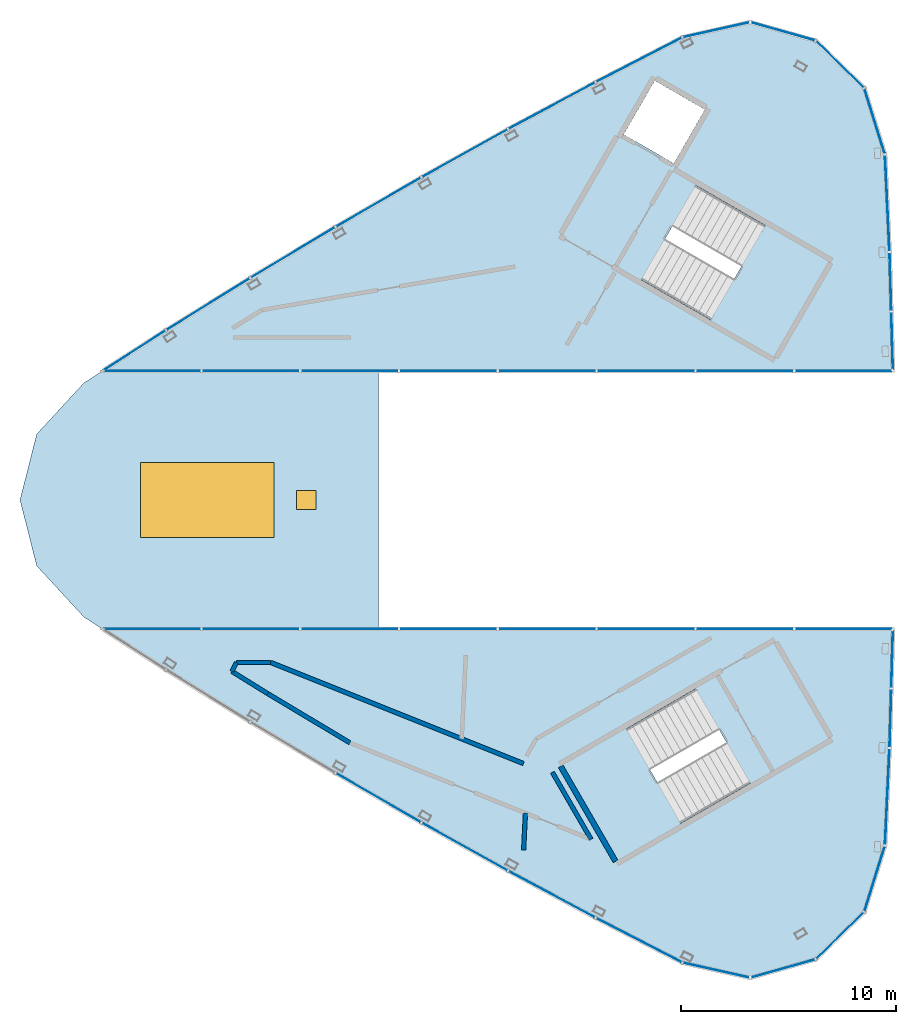
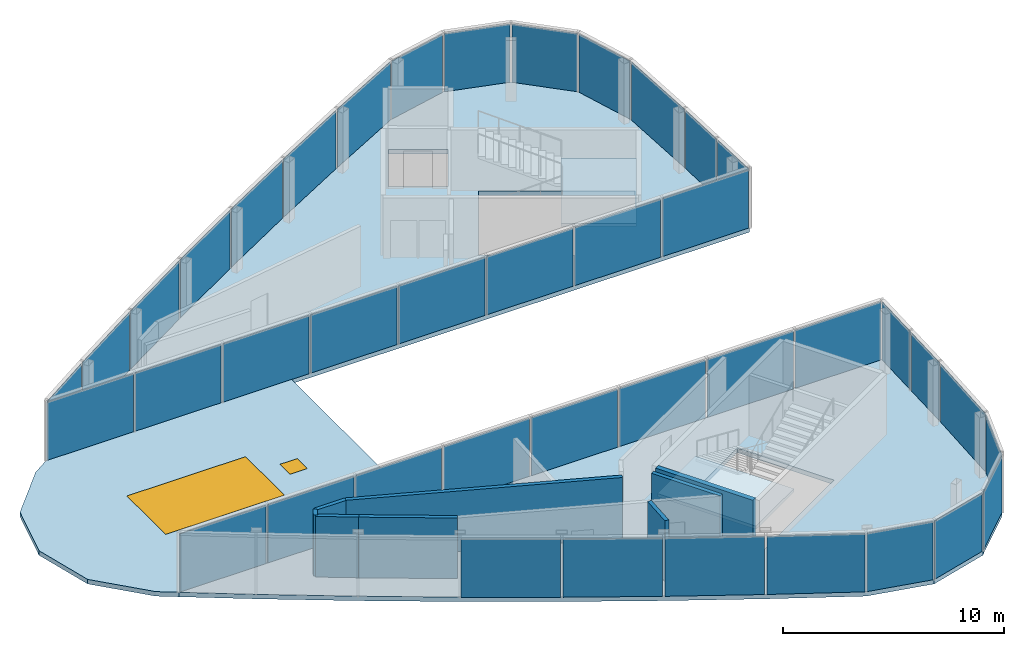
"""IFC4 building model written with IfcOpenShell, lengths in metres."""

from ifc_helpers import new_model, si_unit, direction, frame, frame_2d, origin, origin_2d, place, context, subcontext, project, spatial, polyline, rectangle, outline, extrude, material, layer, layer_set, type_object, element, fill, aggregate, save


model = new_model("IFC4")

# Units and contexts
model_context = context("Model", 3, precision=1e-05, world=origin(), true_north=direction((0.0, 1.0)))
body_context = subcontext(model_context, "Body", "Model", "MODEL_VIEW")
ifc_project = project(units=[si_unit("LENGTHUNIT", "METRE"), si_unit("AREAUNIT", "SQUARE_METRE"), si_unit("VOLUMEUNIT", "CUBIC_METRE"), si_unit("PLANEANGLEUNIT", "RADIAN"), si_unit("MASSUNIT", "GRAM", prefix="KILO")], contexts=[model_context])

# Site, building, storey
site_placement = place(None, origin())
site = spatial("IfcSite", under=ifc_project, at=site_placement, CompositionType="ELEMENT")
building_placement = place(site_placement, origin())
building = spatial("IfcBuilding", under=site, at=building_placement, Name="Tamra Quay Hotel Tower", CompositionType="ELEMENT")
storey_1_placement = place(building_placement, frame((0.0, 0.0, 331.39990234375)))
storey_1 = spatial("IfcBuildingStorey", under=building, at=storey_1_placement, Name="Roof crown 4", CompositionType="ELEMENT", Elevation=331.39990234375)

# Stair, slab
ifc_material_1 = material(Name="Exit stair 2200 24 risers 150.0 going 342")
stair_type = type_object("IfcStairType", Name="Exit stair 2200 24 risers 150.0 going 342", PredefinedType="HALF_TURN_STAIR", material=ifc_material_1)
stair_1_placement = place(storey_1_placement, origin())
stair_1 = element("IfcStair", 1, at=stair_1_placement, inside=storey_1, type_object=stair_type, Name="Roof crown 4 Exit stair ST1", PredefinedType="HALF_TURN_STAIR")
ifc_material_2 = material(Name="Concrete M70", Category="concrete")
ifc_layer_1 = layer(ifc_material_2, 0.175048828125)
ifc_layer_set_1 = layer_set([ifc_layer_1], Name="Concrete M70 stair landing 180")
slab_type_1 = type_object("IfcSlabType", Name="Concrete M70 stair landing 180", PredefinedType="LANDING", material=ifc_layer_set_1)
slab_1_placement = place(storey_1_placement, frame((0.0, 0.0, 1.625)))
slab_1 = element("IfcSlab", 2, at=slab_1_placement, type_object=slab_type_1, Name="ST1 landing 1", PredefinedType="LANDING", context=body_context, shape_type="SweptSolid", body=[
    extrude(outline(polyline([(7.425048828125, 8.336669921875), (10.385009765625, 6.627685546875), (12.964599609375, 11.095458984375), (10.00439453125, 12.804443359375), (7.425048828125, 8.336669921875)])), origin(), (0.0, 0.0, 1.0), 0.175048828125),
])
aggregate(stair_1, [slab_1])

stair_2_placement = place(storey_1_placement, origin())
stair_2 = element("IfcStair", 3, at=stair_2_placement, inside=storey_1, type_object=stair_type, Name="Roof crown 4 Exit stair ST2", PredefinedType="HALF_TURN_STAIR")
slab_2_placement = place(storey_1_placement, frame((0.0, 0.0, 1.625)))
slab_2 = element("IfcSlab", 4, at=slab_2_placement, type_object=slab_type_1, Name="ST2 landing 1", PredefinedType="LANDING", context=body_context, shape_type="SweptSolid", body=[
    extrude(outline(polyline([(3.50732421875, -10.5986328125), (0.547119140625, -12.3076171875), (3.126708984375, -16.775390625), (6.086669921875, -15.06640625), (3.50732421875, -10.5986328125)])), origin(), (0.0, 0.0, 1.0), 0.175048828125),
])
aggregate(stair_2, [slab_2])

# Slabs
ifc_material_3 = material(Name="Concrete M60", Category="concrete")
ifc_layer_2 = layer(ifc_material_3, 0.25)
ifc_layer_set_2 = layer_set([ifc_layer_2], Name="FLOOR SLAB PT 250")
slab_type_2 = type_object("IfcSlabType", Name="FLOOR SLAB PT 250", PredefinedType="FLOOR", material=ifc_layer_set_2)
slab_3_placement = place(storey_1_placement, frame((0.0, 0.0, -0.25)))
element("IfcSlab", 5, at=slab_3_placement, inside=storey_1, type_object=slab_type_2, Name="SLAB-Roofcrown4", PredefinedType="FLOOR", context=body_context, shape_type="SweptSolid", body=[
    extrude(outline(polyline([(15.555419921875, -16.063720703125), (14.5908203125, -19.149169921875), (12.3271484375, -21.351318359375), (9.288330078125, -22.21044921875), (6.134033203125, -21.503173828125), (2.10009765625, -19.419677734375), (-1.96435546875, -17.239501953125), (-5.99462890625, -14.995849609375), (-9.989501953125, -12.689453125), (-13.947509765625, -10.321044921875), (-17.867919921875, -7.89111328125), (-20.815673828125, -6.0), (15.926513671875, -6.0), (15.912109375, -6.91845703125), (15.767822265625, -11.528564453125), (15.555419921875, -16.063720703125)]), holes=[polyline([(6.75390625, -8.78759765625), (0.622314453125, -12.32763671875), (3.146728515625, -16.7001953125), (9.2783203125, -13.160400390625), (6.75390625, -8.78759765625)])]), origin(), (0.0, 0.0, 1.0), 0.25),
])
slab_4_placement = place(storey_1_placement, frame((0.0, 0.0, -0.25)))
element("IfcSlab", 6, at=slab_4_placement, inside=storey_1, type_object=slab_type_2, Name="SLAB-Roofcrown4-2", PredefinedType="FLOOR", context=body_context, shape_type="SweptSolid", body=[
    extrude(outline(polyline([(15.926513671875, 6.0), (-20.815673828125, 6.0), (-17.867919921875, 7.89111328125), (-13.947509765625, 10.321044921875), (-9.989501953125, 12.689453125), (-5.99462890625, 14.995849609375), (-1.96435546875, 17.239501953125), (2.10009765625, 19.419677734375), (6.134033203125, 21.503173828125), (9.288330078125, 22.21044921875), (12.3271484375, 21.351318359375), (14.5908203125, 19.149169921875), (15.555419921875, 16.063720703125), (15.767822265625, 11.528564453125), (15.912109375, 6.91845703125), (15.926513671875, 6.0)]), holes=[polyline([(6.758056640625, 14.615478515625), (4.2333984375, 10.242919921875), (10.364990234375, 6.702880859375), (12.889404296875, 11.075439453125), (6.758056640625, 14.615478515625)]), polyline([(4.8515625, 19.4931640625), (3.406494140625, 16.990234375), (5.736083984375, 15.645263671875), (7.18115234375, 18.148193359375), (4.8515625, 19.4931640625)])]), origin(), (0.0, 0.0, 1.0), 0.25),
])

# Curtain wall, plates
ifc_material_4 = material(Name="Aluminium 6063 anodised dark grey", Category="aluminium")
curtain_wall_type = type_object("IfcCurtainWallType", Name="CW6 CURTAIN WALL", PredefinedType="NOTDEFINED", material=ifc_material_4)
curtain_wall_1_placement = place(storey_1_placement, origin())
curtain_wall_1 = element("IfcCurtainWall", 7, at=curtain_wall_1_placement, inside=storey_1, type_object=curtain_wall_type, Name="CW6 lantern A face Roof crown 4", PredefinedType="NOTDEFINED")
ifc_material_5 = material(Name="Glass clear laminated low-iron", Category="glass")
ifc_layer_3 = layer(ifc_material_5, 0.030029296875)
ifc_layer_set_3 = layer_set([ifc_layer_3], Name="GLASS PANEL CW6")
plate_type = type_object("IfcPlateType", Name="GLASS PANEL CW6", PredefinedType="CURTAIN_PANEL", material=ifc_layer_set_3)
plate_1_placement = place(storey_1_placement, frame((15.66162109375, 13.796142578125, 0.0), z_axis=(0.0, 0.0, 1.0), x_axis=(-0.046821305973, 0.998903281257, 0.0)))
plate_1 = element("IfcPlate", 8, at=plate_1_placement, type_object=plate_type, Name="CW6 glass Roof crown 4.A.1", PredefinedType="CURTAIN_PANEL", context=body_context, shape_type="SweptSolid", body=[
    extrude(rectangle(XDim=4.440185546875, YDim=0.030029296875, at=origin_2d()), origin(), (0.0, 0.0, 1.0), 3.2099609375),
])
plate_2_placement = place(storey_1_placement, frame((15.072998046875, 17.6064453125, 0.0), z_axis=(0.0, 0.0, 1.0), x_axis=(-0.29839239288, 0.954443282689, 0.0)))
plate_2 = element("IfcPlate", 9, at=plate_2_placement, type_object=plate_type, Name="CW6 glass Roof crown 4.A.2", PredefinedType="CURTAIN_PANEL", context=body_context, shape_type="SweptSolid", body=[
    extrude(rectangle(XDim=3.132568359375, YDim=0.030029296875, at=origin_2d()), origin(), (0.0, 0.0, 1.0), 3.2099609375),
])
plate_3_placement = place(storey_1_placement, frame((13.458984375, 20.250244140625, 0.0), z_axis=(0.0, 0.0, 1.0), x_axis=(-0.716752699854, 0.69732744622, 0.0)))
plate_3 = element("IfcPlate", 10, at=plate_3_placement, type_object=plate_type, Name="CW6 glass Roof crown 4.A.3", PredefinedType="CURTAIN_PANEL", context=body_context, shape_type="SweptSolid", body=[
    extrude(rectangle(XDim=3.05810546875, YDim=0.030029296875, at=origin_2d()), origin(), (0.0, 0.0, 1.0), 3.2099609375),
])
plate_4_placement = place(storey_1_placement, frame((10.807861328125, 21.781005859375, 0.0), z_axis=(0.0, 0.0, 1.0), x_axis=(-0.96227963311, 0.272062323195, 0.0)))
plate_4 = element("IfcPlate", 11, at=plate_4_placement, type_object=plate_type, Name="CW6 glass Roof crown 4.A.4", PredefinedType="CURTAIN_PANEL", context=body_context, shape_type="SweptSolid", body=[
    extrude(rectangle(XDim=3.05810546875, YDim=0.030029296875, at=origin_2d()), origin(), (0.0, 0.0, 1.0), 3.2099609375),
])
plate_5_placement = place(storey_1_placement, frame((7.711181640625, 21.85693359375, 0.0), z_axis=(0.0, 0.0, 1.0), x_axis=(-0.975768325721, -0.218806248814, 0.0)))
plate_5 = element("IfcPlate", 12, at=plate_5_placement, type_object=plate_type, Name="CW6 glass Roof crown 4.A.5", PredefinedType="CURTAIN_PANEL", context=body_context, shape_type="SweptSolid", body=[
    extrude(rectangle(XDim=3.132568359375, YDim=0.030029296875, at=origin_2d()), origin(), (0.0, 0.0, 1.0), 3.2099609375),
])
plate_6_placement = place(storey_1_placement, frame((4.116943359375, 20.46142578125, 0.0), z_axis=(0.0, 0.0, 1.0), x_axis=(-0.888486270479, -0.458903200218, 0.0)))
plate_6 = element("IfcPlate", 13, at=plate_6_placement, type_object=plate_type, Name="CW6 glass Roof crown 4.A.6", PredefinedType="CURTAIN_PANEL", context=body_context, shape_type="SweptSolid", body=[
    extrude(rectangle(XDim=4.440185546875, YDim=0.030029296875, at=origin_2d()), origin(), (0.0, 0.0, 1.0), 3.2099609375),
])
plate_7_placement = place(storey_1_placement, frame((0.06787109375, 18.32958984375, 0.0), z_axis=(0.0, 0.0, 1.0), x_axis=(-0.881223582111, -0.472699691486, 0.0)))
plate_7 = element("IfcPlate", 14, at=plate_7_placement, type_object=plate_type, Name="CW6 glass Roof crown 4.A.7", PredefinedType="CURTAIN_PANEL", context=body_context, shape_type="SweptSolid", body=[
    extrude(rectangle(XDim=4.51220703125, YDim=0.030029296875, at=origin_2d()), origin(), (0.0, 0.0, 1.0), 3.2099609375),
])
plate_8_placement = place(storey_1_placement, frame((-3.9794921875, 16.11767578125, 0.0), z_axis=(0.0, 0.0, 1.0), x_axis=(-0.873735522847, -0.486401311794, 0.0)))
plate_8 = element("IfcPlate", 15, at=plate_8_placement, type_object=plate_type, Name="CW6 glass Roof crown 4.A.8", PredefinedType="CURTAIN_PANEL", context=body_context, shape_type="SweptSolid", body=[
    extrude(rectangle(XDim=4.5126953125, YDim=0.030029296875, at=origin_2d()), origin(), (0.0, 0.0, 1.0), 3.2099609375),
])
plate_9_placement = place(storey_1_placement, frame((-7.991943359375, 13.842529296875, 0.0), z_axis=(0.0, 0.0, 1.0), x_axis=(-0.866025403784, -0.5, 0.0)))
plate_9 = element("IfcPlate", 16, at=plate_9_placement, type_object=plate_type, Name="CW6 glass Roof crown 4.A.9", PredefinedType="CURTAIN_PANEL", context=body_context, shape_type="SweptSolid", body=[
    extrude(rectangle(XDim=4.5126953125, YDim=0.030029296875, at=origin_2d()), origin(), (0.0, 0.0, 1.0), 3.2099609375),
])
plate_10_placement = place(storey_1_placement, frame((-11.968505859375, 11.505126953125, 0.0), z_axis=(0.0, 0.0, 1.0), x_axis=(-0.858103653871, -0.513476503078, 0.0)))
plate_10 = element("IfcPlate", 17, at=plate_10_placement, type_object=plate_type, Name="CW6 glass Roof crown 4.A.10", PredefinedType="CURTAIN_PANEL", context=body_context, shape_type="SweptSolid", body=[
    extrude(rectangle(XDim=4.5126953125, YDim=0.030029296875, at=origin_2d()), origin(), (0.0, 0.0, 1.0), 3.2099609375),
])
plate_11_placement = place(storey_1_placement, frame((-15.90771484375, 9.10595703125, 0.0), z_axis=(0.0, 0.0, 1.0), x_axis=(-0.849981732244, -0.526812162779, 0.0)))
plate_11 = element("IfcPlate", 18, at=plate_11_placement, type_object=plate_type, Name="CW6 glass Roof crown 4.A.11", PredefinedType="CURTAIN_PANEL", context=body_context, shape_type="SweptSolid", body=[
    extrude(rectangle(XDim=4.51220703125, YDim=0.030029296875, at=origin_2d()), origin(), (0.0, 0.0, 1.0), 3.2099609375),
])
plate_12_placement = place(storey_1_placement, frame((-19.341796875, 6.945556640625, 0.0), z_axis=(0.0, 0.0, 1.0), x_axis=(-0.841664964506, -0.54000008104, 0.0)))
plate_12 = element("IfcPlate", 19, at=plate_12_placement, type_object=plate_type, Name="CW6 glass Roof crown 4.A.12", PredefinedType="CURTAIN_PANEL", context=body_context, shape_type="SweptSolid", body=[
    extrude(rectangle(XDim=3.402099609375, YDim=0.030029296875, at=origin_2d()), origin(), (0.0, 0.0, 1.0), 3.2099609375),
])
plate_13_placement = place(storey_1_placement, frame((-18.519287109375, 6.0, 0.0), z_axis=(0.0, 0.0, 1.0), x_axis=(1.0, 0.0, 0.0)))
plate_13 = element("IfcPlate", 20, at=plate_13_placement, type_object=plate_type, Name="CW6 glass Roof crown 4.A.13", PredefinedType="CURTAIN_PANEL", context=body_context, shape_type="SweptSolid", body=[
    extrude(rectangle(XDim=4.49267578125, YDim=0.030029296875, at=origin_2d()), origin(), (0.0, 0.0, 1.0), 3.2099609375),
])
plate_14_placement = place(storey_1_placement, frame((-13.926513671875, 6.0, 0.0), z_axis=(0.0, 0.0, 1.0), x_axis=(1.0, 0.0, 0.0)))
plate_14 = element("IfcPlate", 21, at=plate_14_placement, type_object=plate_type, Name="CW6 glass Roof crown 4.A.14", PredefinedType="CURTAIN_PANEL", context=body_context, shape_type="SweptSolid", body=[
    extrude(rectangle(XDim=4.49267578125, YDim=0.030029296875, at=origin_2d()), origin(), (0.0, 0.0, 1.0), 3.2099609375),
])
plate_15_placement = place(storey_1_placement, frame((-9.333740234375, 6.0, 0.0), z_axis=(0.0, 0.0, 1.0), x_axis=(1.0, 0.0, 0.0)))
plate_15 = element("IfcPlate", 22, at=plate_15_placement, type_object=plate_type, Name="CW6 glass Roof crown 4.A.15", PredefinedType="CURTAIN_PANEL", context=body_context, shape_type="SweptSolid", body=[
    extrude(rectangle(XDim=4.49267578125, YDim=0.030029296875, at=origin_2d()), origin(), (0.0, 0.0, 1.0), 3.2099609375),
])
plate_16_placement = place(storey_1_placement, frame((-4.740966796875, 6.0, 0.0), z_axis=(0.0, 0.0, 1.0), x_axis=(1.0, 0.0, 0.0)))
plate_16 = element("IfcPlate", 23, at=plate_16_placement, type_object=plate_type, Name="CW6 glass Roof crown 4.A.16", PredefinedType="CURTAIN_PANEL", context=body_context, shape_type="SweptSolid", body=[
    extrude(rectangle(XDim=4.49267578125, YDim=0.030029296875, at=origin_2d()), origin(), (0.0, 0.0, 1.0), 3.2099609375),
])
plate_17_placement = place(storey_1_placement, frame((-0.148193359375, 6.0, 0.0), z_axis=(0.0, 0.0, 1.0), x_axis=(1.0, 0.0, 0.0)))
plate_17 = element("IfcPlate", 24, at=plate_17_placement, type_object=plate_type, Name="CW6 glass Roof crown 4.A.17", PredefinedType="CURTAIN_PANEL", context=body_context, shape_type="SweptSolid", body=[
    extrude(rectangle(XDim=4.49267578125, YDim=0.030029296875, at=origin_2d()), origin(), (0.0, 0.0, 1.0), 3.2099609375),
])
plate_18_placement = place(storey_1_placement, frame((4.444580078125, 6.0, 0.0), z_axis=(0.0, 0.0, 1.0), x_axis=(1.0, 0.0, 0.0)))
plate_18 = element("IfcPlate", 25, at=plate_18_placement, type_object=plate_type, Name="CW6 glass Roof crown 4.A.18", PredefinedType="CURTAIN_PANEL", context=body_context, shape_type="SweptSolid", body=[
    extrude(rectangle(XDim=4.49267578125, YDim=0.030029296875, at=origin_2d()), origin(), (0.0, 0.0, 1.0), 3.2099609375),
])
plate_19_placement = place(storey_1_placement, frame((9.037353515625, 6.0, 0.0), z_axis=(0.0, 0.0, 1.0), x_axis=(1.0, 0.0, 0.0)))
plate_19 = element("IfcPlate", 26, at=plate_19_placement, type_object=plate_type, Name="CW6 glass Roof crown 4.A.19", PredefinedType="CURTAIN_PANEL", context=body_context, shape_type="SweptSolid", body=[
    extrude(rectangle(XDim=4.49267578125, YDim=0.030029296875, at=origin_2d()), origin(), (0.0, 0.0, 1.0), 3.2099609375),
])
plate_20_placement = place(storey_1_placement, frame((13.6298828125, 6.0, 0.0), z_axis=(0.0, 0.0, 1.0), x_axis=(1.0, 0.0, 0.0)))
plate_20 = element("IfcPlate", 27, at=plate_20_placement, type_object=plate_type, Name="CW6 glass Roof crown 4.A.20", PredefinedType="CURTAIN_PANEL", context=body_context, shape_type="SweptSolid", body=[
    extrude(rectangle(XDim=4.49267578125, YDim=0.030029296875, at=origin_2d()), origin(), (0.0, 0.0, 1.0), 3.2099609375),
])
plate_21_placement = place(storey_1_placement, frame((15.88671875, 7.382080078125, 0.0), z_axis=(0.0, 0.0, 1.0), x_axis=(-0.028649831581, 0.999589509324, 0.0)))
plate_21 = element("IfcPlate", 28, at=plate_21_placement, type_object=plate_type, Name="CW6 glass Roof crown 4.A.21", PredefinedType="CURTAIN_PANEL", context=body_context, shape_type="SweptSolid", body=[
    extrude(rectangle(XDim=2.665283203125, YDim=0.030029296875, at=origin_2d()), origin(), (0.0, 0.0, 1.0), 3.2099609375),
])
plate_22_placement = place(storey_1_placement, frame((15.8076171875, 10.146484375, 0.0), z_axis=(0.0, 0.0, 1.0), x_axis=(-0.028649831581, 0.999589509324, 0.0)))
plate_22 = element("IfcPlate", 29, at=plate_22_placement, type_object=plate_type, Name="CW6 glass Roof crown 4.A.22", PredefinedType="CURTAIN_PANEL", context=body_context, shape_type="SweptSolid", body=[
    extrude(rectangle(XDim=2.665283203125, YDim=0.030029296875, at=origin_2d()), origin(), (0.0, 0.0, 1.0), 3.2099609375),
])
aggregate(curtain_wall_1, [plate_1, plate_2, plate_3, plate_4, plate_5, plate_6, plate_7, plate_8, plate_9, plate_10, plate_11, plate_12, plate_13, plate_14, plate_15, plate_16, plate_17, plate_18, plate_19, plate_20, plate_21, plate_22])

curtain_wall_2_placement = place(storey_1_placement, origin())
curtain_wall_2 = element("IfcCurtainWall", 30, at=curtain_wall_2_placement, inside=storey_1, type_object=curtain_wall_type, Name="CW6 lantern B face Roof crown 4", PredefinedType="NOTDEFINED")
plate_23_placement = place(storey_1_placement, frame((13.6298828125, -6.0, 0.0), z_axis=(0.0, 0.0, 1.0), x_axis=(-1.0, 0.0, 0.0)))
plate_23 = element("IfcPlate", 31, at=plate_23_placement, type_object=plate_type, Name="CW6 glass Roof crown 4.B.1", PredefinedType="CURTAIN_PANEL", context=body_context, shape_type="SweptSolid", body=[
    extrude(rectangle(XDim=4.49267578125, YDim=0.030029296875, at=origin_2d()), origin(), (0.0, 0.0, 1.0), 3.2099609375),
])
plate_24_placement = place(storey_1_placement, frame((9.037353515625, -6.0, 0.0), z_axis=(0.0, 0.0, 1.0), x_axis=(-1.0, 0.0, 0.0)))
plate_24 = element("IfcPlate", 32, at=plate_24_placement, type_object=plate_type, Name="CW6 glass Roof crown 4.B.2", PredefinedType="CURTAIN_PANEL", context=body_context, shape_type="SweptSolid", body=[
    extrude(rectangle(XDim=4.49267578125, YDim=0.030029296875, at=origin_2d()), origin(), (0.0, 0.0, 1.0), 3.2099609375),
])
plate_25_placement = place(storey_1_placement, frame((4.444580078125, -6.0, 0.0), z_axis=(0.0, 0.0, 1.0), x_axis=(-1.0, 0.0, 0.0)))
plate_25 = element("IfcPlate", 33, at=plate_25_placement, type_object=plate_type, Name="CW6 glass Roof crown 4.B.3", PredefinedType="CURTAIN_PANEL", context=body_context, shape_type="SweptSolid", body=[
    extrude(rectangle(XDim=4.49267578125, YDim=0.030029296875, at=origin_2d()), origin(), (0.0, 0.0, 1.0), 3.2099609375),
])
plate_26_placement = place(storey_1_placement, frame((-0.148193359375, -6.0, 0.0), z_axis=(0.0, 0.0, 1.0), x_axis=(-1.0, 0.0, 0.0)))
plate_26 = element("IfcPlate", 34, at=plate_26_placement, type_object=plate_type, Name="CW6 glass Roof crown 4.B.4", PredefinedType="CURTAIN_PANEL", context=body_context, shape_type="SweptSolid", body=[
    extrude(rectangle(XDim=4.49267578125, YDim=0.030029296875, at=origin_2d()), origin(), (0.0, 0.0, 1.0), 3.2099609375),
])
plate_27_placement = place(storey_1_placement, frame((-4.740966796875, -6.0, 0.0), z_axis=(0.0, 0.0, 1.0), x_axis=(-1.0, 0.0, 0.0)))
plate_27 = element("IfcPlate", 35, at=plate_27_placement, type_object=plate_type, Name="CW6 glass Roof crown 4.B.5", PredefinedType="CURTAIN_PANEL", context=body_context, shape_type="SweptSolid", body=[
    extrude(rectangle(XDim=4.49267578125, YDim=0.030029296875, at=origin_2d()), origin(), (0.0, 0.0, 1.0), 3.2099609375),
])
plate_28_placement = place(storey_1_placement, frame((-9.333740234375, -6.0, 0.0), z_axis=(0.0, 0.0, 1.0), x_axis=(-1.0, 0.0, 0.0)))
plate_28 = element("IfcPlate", 36, at=plate_28_placement, type_object=plate_type, Name="CW6 glass Roof crown 4.B.6", PredefinedType="CURTAIN_PANEL", context=body_context, shape_type="SweptSolid", body=[
    extrude(rectangle(XDim=4.49267578125, YDim=0.030029296875, at=origin_2d()), origin(), (0.0, 0.0, 1.0), 3.2099609375),
])
plate_29_placement = place(storey_1_placement, frame((-13.926513671875, -6.0, 0.0), z_axis=(0.0, 0.0, 1.0), x_axis=(-1.0, 0.0, 0.0)))
plate_29 = element("IfcPlate", 37, at=plate_29_placement, type_object=plate_type, Name="CW6 glass Roof crown 4.B.7", PredefinedType="CURTAIN_PANEL", context=body_context, shape_type="SweptSolid", body=[
    extrude(rectangle(XDim=4.49267578125, YDim=0.030029296875, at=origin_2d()), origin(), (0.0, 0.0, 1.0), 3.2099609375),
])
plate_30_placement = place(storey_1_placement, frame((-18.519287109375, -6.0, 0.0), z_axis=(0.0, 0.0, 1.0), x_axis=(-1.0, 0.0, 0.0)))
plate_30 = element("IfcPlate", 38, at=plate_30_placement, type_object=plate_type, Name="CW6 glass Roof crown 4.B.8", PredefinedType="CURTAIN_PANEL", context=body_context, shape_type="SweptSolid", body=[
    extrude(rectangle(XDim=4.49267578125, YDim=0.030029296875, at=origin_2d()), origin(), (0.0, 0.0, 1.0), 3.2099609375),
])
plate_31_placement = place(storey_1_placement, frame((-7.991943359375, -13.842529296875, 0.0), z_axis=(0.0, 0.0, 1.0), x_axis=(0.866025403784, -0.5, 0.0)))
plate_31 = element("IfcPlate", 39, at=plate_31_placement, type_object=plate_type, Name="CW6 glass Roof crown 4.B.12", PredefinedType="CURTAIN_PANEL", context=body_context, shape_type="SweptSolid", body=[
    extrude(rectangle(XDim=4.5126953125, YDim=0.030029296875, at=origin_2d()), origin(), (0.0, 0.0, 1.0), 3.2099609375),
])
plate_32_placement = place(storey_1_placement, frame((-3.9794921875, -16.11767578125, 0.0), z_axis=(0.0, 0.0, 1.0), x_axis=(0.873735522847, -0.486401311794, 0.0)))
plate_32 = element("IfcPlate", 40, at=plate_32_placement, type_object=plate_type, Name="CW6 glass Roof crown 4.B.13", PredefinedType="CURTAIN_PANEL", context=body_context, shape_type="SweptSolid", body=[
    extrude(rectangle(XDim=4.5126953125, YDim=0.030029296875, at=origin_2d()), origin(), (0.0, 0.0, 1.0), 3.2099609375),
])
plate_33_placement = place(storey_1_placement, frame((0.06787109375, -18.32958984375, 0.0), z_axis=(0.0, 0.0, 1.0), x_axis=(0.881223582111, -0.472699691486, 0.0)))
plate_33 = element("IfcPlate", 41, at=plate_33_placement, type_object=plate_type, Name="CW6 glass Roof crown 4.B.14", PredefinedType="CURTAIN_PANEL", context=body_context, shape_type="SweptSolid", body=[
    extrude(rectangle(XDim=4.51220703125, YDim=0.030029296875, at=origin_2d()), origin(), (0.0, 0.0, 1.0), 3.2099609375),
])
plate_34_placement = place(storey_1_placement, frame((4.116943359375, -20.46142578125, 0.0), z_axis=(0.0, 0.0, 1.0), x_axis=(0.888486270479, -0.458903200218, 0.0)))
plate_34 = element("IfcPlate", 42, at=plate_34_placement, type_object=plate_type, Name="CW6 glass Roof crown 4.B.15", PredefinedType="CURTAIN_PANEL", context=body_context, shape_type="SweptSolid", body=[
    extrude(rectangle(XDim=4.440185546875, YDim=0.030029296875, at=origin_2d()), origin(), (0.0, 0.0, 1.0), 3.2099609375),
])
plate_35_placement = place(storey_1_placement, frame((7.711181640625, -21.85693359375, 0.0), z_axis=(0.0, 0.0, 1.0), x_axis=(0.975768325721, -0.218806248814, 0.0)))
plate_35 = element("IfcPlate", 43, at=plate_35_placement, type_object=plate_type, Name="CW6 glass Roof crown 4.B.16", PredefinedType="CURTAIN_PANEL", context=body_context, shape_type="SweptSolid", body=[
    extrude(rectangle(XDim=3.132568359375, YDim=0.030029296875, at=origin_2d()), origin(), (0.0, 0.0, 1.0), 3.2099609375),
])
plate_36_placement = place(storey_1_placement, frame((10.807861328125, -21.781005859375, 0.0), z_axis=(0.0, 0.0, 1.0), x_axis=(0.96227963311, 0.272062323195, 0.0)))
plate_36 = element("IfcPlate", 44, at=plate_36_placement, type_object=plate_type, Name="CW6 glass Roof crown 4.B.17", PredefinedType="CURTAIN_PANEL", context=body_context, shape_type="SweptSolid", body=[
    extrude(rectangle(XDim=3.05810546875, YDim=0.030029296875, at=origin_2d()), origin(), (0.0, 0.0, 1.0), 3.2099609375),
])
plate_37_placement = place(storey_1_placement, frame((13.458984375, -20.250244140625, 0.0), z_axis=(0.0, 0.0, 1.0), x_axis=(0.716752699854, 0.69732744622, 0.0)))
plate_37 = element("IfcPlate", 45, at=plate_37_placement, type_object=plate_type, Name="CW6 glass Roof crown 4.B.18", PredefinedType="CURTAIN_PANEL", context=body_context, shape_type="SweptSolid", body=[
    extrude(rectangle(XDim=3.05810546875, YDim=0.030029296875, at=origin_2d()), origin(), (0.0, 0.0, 1.0), 3.2099609375),
])
plate_38_placement = place(storey_1_placement, frame((15.072998046875, -17.6064453125, 0.0), z_axis=(0.0, 0.0, 1.0), x_axis=(0.29839239288, 0.954443282689, 0.0)))
plate_38 = element("IfcPlate", 46, at=plate_38_placement, type_object=plate_type, Name="CW6 glass Roof crown 4.B.19", PredefinedType="CURTAIN_PANEL", context=body_context, shape_type="SweptSolid", body=[
    extrude(rectangle(XDim=3.132568359375, YDim=0.030029296875, at=origin_2d()), origin(), (0.0, 0.0, 1.0), 3.2099609375),
])
plate_39_placement = place(storey_1_placement, frame((15.66162109375, -13.796142578125, 0.0), z_axis=(0.0, 0.0, 1.0), x_axis=(0.046821305973, 0.998903281257, 0.0)))
plate_39 = element("IfcPlate", 47, at=plate_39_placement, type_object=plate_type, Name="CW6 glass Roof crown 4.B.20", PredefinedType="CURTAIN_PANEL", context=body_context, shape_type="SweptSolid", body=[
    extrude(rectangle(XDim=4.440185546875, YDim=0.030029296875, at=origin_2d()), origin(), (0.0, 0.0, 1.0), 3.2099609375),
])
plate_40_placement = place(storey_1_placement, frame((15.8076171875, -10.146484375, 0.0), z_axis=(0.0, 0.0, 1.0), x_axis=(0.028649831581, 0.999589509324, 0.0)))
plate_40 = element("IfcPlate", 48, at=plate_40_placement, type_object=plate_type, Name="CW6 glass Roof crown 4.B.21", PredefinedType="CURTAIN_PANEL", context=body_context, shape_type="SweptSolid", body=[
    extrude(rectangle(XDim=2.665283203125, YDim=0.030029296875, at=origin_2d()), origin(), (0.0, 0.0, 1.0), 3.2099609375),
])
plate_41_placement = place(storey_1_placement, frame((15.88671875, -7.382080078125, 0.0), z_axis=(0.0, 0.0, 1.0), x_axis=(0.028649831581, 0.999589509324, 0.0)))
plate_41 = element("IfcPlate", 49, at=plate_41_placement, type_object=plate_type, Name="CW6 glass Roof crown 4.B.22", PredefinedType="CURTAIN_PANEL", context=body_context, shape_type="SweptSolid", body=[
    extrude(rectangle(XDim=2.665283203125, YDim=0.030029296875, at=origin_2d()), origin(), (0.0, 0.0, 1.0), 3.2099609375),
])
aggregate(curtain_wall_2, [plate_23, plate_24, plate_25, plate_26, plate_27, plate_28, plate_29, plate_30, plate_31, plate_32, plate_33, plate_34, plate_35, plate_36, plate_37, plate_38, plate_39, plate_40, plate_41])

# Slab, openings
ifc_material_6 = material(Name="Reinforced concrete M60", Category="concrete")
ifc_layer_4 = layer(ifc_material_6, 0.25)
ifc_layer_set_4 = layer_set([ifc_layer_4], Name="LANTERN ROOF SLAB 250")
slab_type_3 = type_object("IfcSlabType", Name="LANTERN ROOF SLAB 250", PredefinedType="ROOF", material=ifc_layer_set_4)
slab_5_placement = place(storey_1_placement, frame((0.0, 0.0, -0.25)))
slab_5 = element("IfcSlab", 50, at=slab_5_placement, inside=storey_1, type_object=slab_type_3, Name="Lantern C roof slab", PredefinedType="ROOF", context=body_context, shape_type="SweptSolid", body=[
    extrude(outline(polyline([(-21.689208984375, -5.439453125), (-20.815673828125, -6.0), (-8.0, -6.0), (-8.0, 6.0), (-20.815673828125, 6.0), (-21.689208984375, 5.439453125), (-23.879150390625, 3.061279296875), (-24.654541015625, 0.0), (-23.879150390625, -3.061279296875), (-21.689208984375, -5.439453125)])), origin(), (0.0, 0.0, 1.0), 0.25),
])
opening_1_placement = place(slab_5_placement, frame((-15.949951171875, 0.0, 0.0)))
opening_1 = element("IfcOpeningElement", 51, at=opening_1_placement, cuts=slab_5, Name="Opening SK2-62", PredefinedType="OPENING", context=body_context, shape_type="SweptSolid", body=[
    extrude(rectangle(XDim=6.199951171875, YDim=3.5, at=origin_2d()), origin(), (0.0, 0.0, 1.0), 0.25),
])
opening_2_placement = place(slab_5_placement, frame((-11.35009765625, 0.0, 0.0)))
opening_2 = element("IfcOpeningElement", 52, at=opening_2_placement, cuts=slab_5, Name="Opening RH1", PredefinedType="OPENING", context=body_context, shape_type="SweptSolid", body=[
    extrude(rectangle(XDim=0.89990234375, YDim=0.89990234375, at=origin_2d()), origin(), (0.0, 0.0, 1.0), 0.25),
])

# Storey
storey_2_placement = place(building_placement, frame((0.0, 0.0, 327.800048828125)))
storey_2 = spatial("IfcBuildingStorey", under=building, at=storey_2_placement, Name="Roof crown 3", CompositionType="ELEMENT", Elevation=327.800048828125)

# Window
ifc_material_7 = material(Name="Laminated glass in aluminium frame", Category="aluminium")
window_type = type_object("IfcWindowType", Name="LANTERN ROOFLIGHT 6200X3500", PartitioningType="SINGLE_PANEL", PredefinedType="SKYLIGHT", material=ifc_material_7)
window_placement = place(opening_1_placement, frame((0.0, 0.0, 0.199951171875)))
window = element("IfcWindow", 53, at=window_placement, inside=storey_2, type_object=window_type, Name="SK2-62", OverallHeight=3.5, OverallWidth=6.199951171875, PartitioningType="SINGLE_PANEL", PredefinedType="SKYLIGHT", context=body_context, shape_type="SweptSolid", body=[
    extrude(rectangle(XDim=6.199951171875, YDim=3.5, at=origin_2d()), origin(), (0.0, 0.0, 1.0), 0.050048828125),
])

fill(opening_1, window)

# Door
ifc_material_8 = material(Name="Galvanised steel hatch", Category="steel")
door_type = type_object("IfcDoorType", Name="ROOF ACCESS HATCH 900X900", OperationType="NOTDEFINED", PredefinedType="TRAPDOOR", material=ifc_material_8)
door_placement = place(opening_2_placement, frame((0.0, 0.0, 0.199951171875)))
door = element("IfcDoor", 54, at=door_placement, inside=storey_2, type_object=door_type, Name="RH1", OperationType="SWING_FIXED_LEFT", OverallHeight=0.89990234375, OverallWidth=0.89990234375, PredefinedType="TRAPDOOR", context=body_context, shape_type="SweptSolid", body=[
    extrude(rectangle(XDim=0.89990234375, YDim=0.89990234375, at=origin_2d()), origin(), (0.0, 0.0, 1.0), 0.050048828125),
])

fill(opening_2, door)

# Walls
ifc_layer_5 = layer(ifc_material_2, 0.25)
ifc_layer_set_5 = layer_set([ifc_layer_5], Name="Concrete M70 core wall 250")
wall_type_1 = type_object("IfcWallType", Name="Concrete M70 core wall 250", PredefinedType="SHEAR", material=ifc_layer_set_5)
wall_1_placement = place(storey_1_placement, frame((3.029541015625, -16.797607421875, 0.0), z_axis=(0.0, 0.0, 1.0), x_axis=(-0.499975258871, 0.866039687611, 0.0)))
element("IfcWall", 55, at=wall_1_placement, inside=storey_1, type_object=wall_type_1, Name="CW1", PredefinedType="SHEAR", context=body_context, shape_type="SweptSolid", body=[
    extrude(rectangle(XDim=5.099365234375, YDim=0.25, at=frame_2d((2.5498046875, 0.0))), origin(), (0.0, 0.0, 1.0), 3.35009765625),
])
ifc_material_9 = material(Name="Partition corridor wall")
ifc_layer_6 = layer(ifc_material_9, 0.199951171875)
ifc_layer_set_6 = layer_set([ifc_layer_6], Name="Partition corridor wall")
wall_type_2 = type_object("IfcWallType", Name="Partition corridor wall", PredefinedType="PARTITIONING", material=ifc_layer_set_6)
wall_2_placement = place(storey_1_placement, frame((-14.802001953125, -7.968994140625, 0.0), z_axis=(0.0, 0.0, 1.0), x_axis=(0.443876206707, 0.896088116827, 0.0)))
element("IfcWall", 56, at=wall_2_placement, inside=storey_1, type_object=wall_type_2, Name="W-C", PredefinedType="PARTITIONING", context=body_context, shape_type="SweptSolid", body=[
    extrude(rectangle(XDim=0.468505859375, YDim=0.199951171875, at=frame_2d((0.234375, 0.0))), origin(), (0.0, 0.0, 1.0), 3.35009765625),
])
wall_3_placement = place(storey_1_placement, frame((-14.802001953125, -7.968994140625, 0.0), z_axis=(0.0, 0.0, 1.0), x_axis=(0.849923964999, -0.526905355563, 0.0)))
element("IfcWall", 57, at=wall_3_placement, inside=storey_1, type_object=wall_type_2, Name="W-C", PredefinedType="PARTITIONING", context=body_context, shape_type="SweptSolid", body=[
    extrude(rectangle(XDim=1.953125, YDim=0.199951171875, at=frame_2d((0.9765625, 0.0))), origin(), (0.0, 0.0, 1.0), 3.35009765625),
])
wall_4_placement = place(storey_1_placement, frame((-14.593994140625, -7.549072265625, 0.0), z_axis=(0.0, 0.0, 1.0), x_axis=(1.0, 0.0, 0.0)))
element("IfcWall", 58, at=wall_4_placement, inside=storey_1, type_object=wall_type_2, Name="W-C", PredefinedType="PARTITIONING", context=body_context, shape_type="SweptSolid", body=[
    extrude(rectangle(XDim=1.591064453125, YDim=0.199951171875, at=frame_2d((0.79541015625, 0.0))), origin(), (0.0, 0.0, 1.0), 3.35009765625),
])
wall_5_placement = place(storey_1_placement, frame((-13.14208984375, -8.998046875, 0.0), z_axis=(0.0, 0.0, 1.0), x_axis=(0.858090798123, -0.513497986536, 0.0)))
element("IfcWall", 59, at=wall_5_placement, inside=storey_1, type_object=wall_type_2, Name="W-C", PredefinedType="PARTITIONING", context=body_context, shape_type="SweptSolid", body=[
    extrude(rectangle(XDim=4.46337890625, YDim=0.199951171875, at=frame_2d((2.231689453125, 0.0))), origin(), (0.0, 0.0, 1.0), 3.35009765625),
])
wall_6_placement = place(storey_1_placement, frame((-13.0029296875, -7.548828125, 0.0), z_axis=(0.0, 0.0, 1.0), x_axis=(0.928455404092, -0.371443888914, 0.0)))
element("IfcWall", 60, at=wall_6_placement, inside=storey_1, type_object=wall_type_2, Name="W-C", PredefinedType="PARTITIONING", context=body_context, shape_type="SweptSolid", body=[
    extrude(rectangle(XDim=12.656494140625, YDim=0.199951171875, at=frame_2d((6.328125, 0.0))), origin(), (0.0, 0.0, 1.0), 3.35009765625),
])
wall_7_placement = place(storey_1_placement, frame((0.092041015625, -12.657958984375, 0.0), z_axis=(0.0, 0.0, 1.0), x_axis=(0.500112394635, -0.865960502986, 0.0)))
element("IfcWall", 61, at=wall_7_placement, inside=storey_1, type_object=wall_type_2, Name="W-C", PredefinedType="PARTITIONING", context=body_context, shape_type="SweptSolid", body=[
    extrude(rectangle(XDim=3.594970703125, YDim=0.199951171875, at=frame_2d((1.79736328125, 0.0))), origin(), (0.0, 0.0, 1.0), 3.35009765625),
])
ifc_material_10 = material(Name="Partition party wall")
ifc_layer_7 = layer(ifc_material_10, 0.199951171875)
ifc_layer_set_7 = layer_set([ifc_layer_7], Name="Partition party wall")
wall_type_3 = type_object("IfcWallType", Name="Partition party wall", PredefinedType="PARTITIONING", material=ifc_layer_set_7)
wall_8_placement = place(storey_1_placement, frame((-1.243896484375, -16.263916015625, 0.0), z_axis=(0.0, 0.0, 1.0), x_axis=(0.048486593856, 0.998823833424, 0.0)))
element("IfcWall", 62, at=wall_8_placement, inside=storey_1, type_object=wall_type_3, Name="W-P", PredefinedType="PARTITIONING", context=body_context, shape_type="SweptSolid", body=[
    extrude(rectangle(XDim=1.7119140625, YDim=0.199951171875, at=frame_2d((0.85595703125, 0.0))), origin(), (0.0, 0.0, 1.0), 3.35009765625),
])

save(model, "model.ifc")
